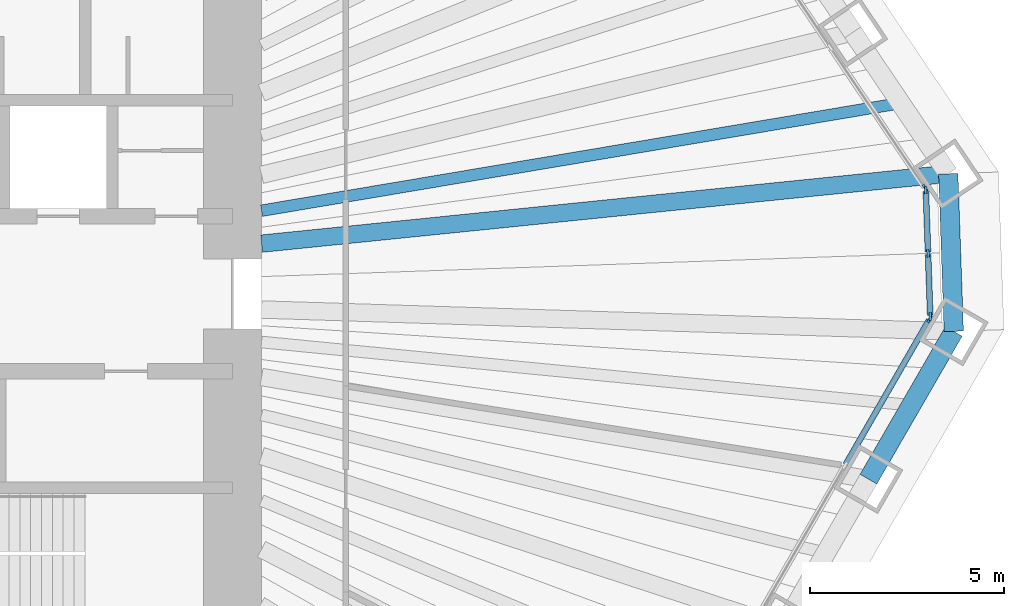
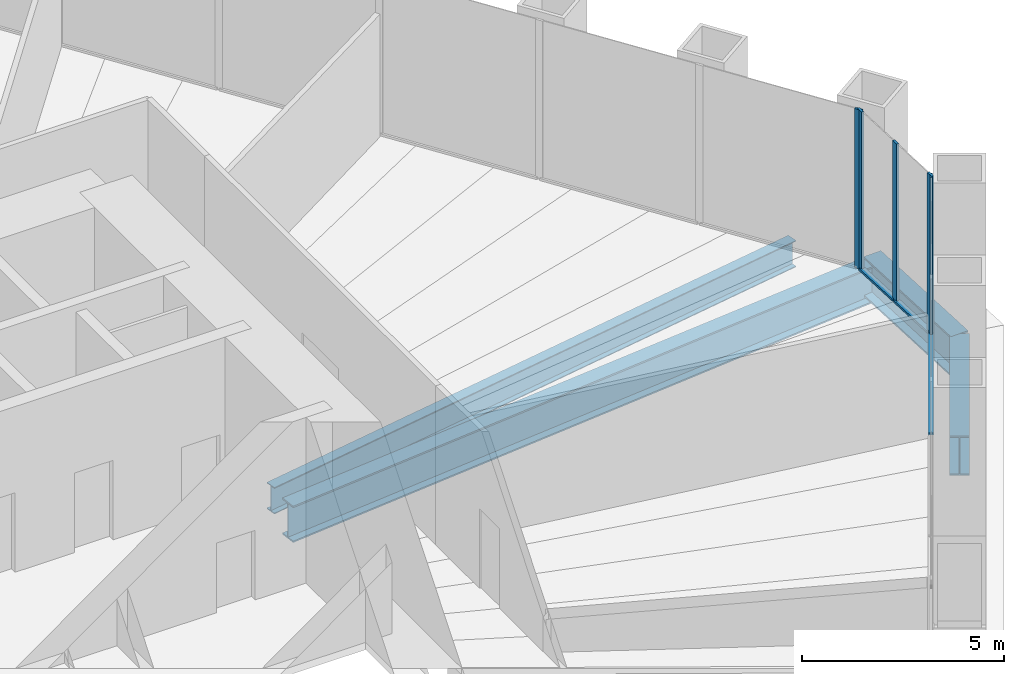
# One storey, part 5 of 14: 8 members, 4 beams, 3 elements without a shape of their own.
"""IFC4 building model written with IfcOpenShell, lengths in metres."""

from ifc_helpers import new_model, si_unit, direction, frame, origin, origin_2d, place, context, subcontext, project, spatial, rectangle, i_section, extrude, material, material_profile, profile_set, type_object, element, aggregate, save


model = new_model("IFC4")

# Units and contexts
model_context = context("Model", 3, precision=1e-05, world=origin(), true_north=direction((0.0, 1.0)))
body_context = subcontext(model_context, "Body", "Model", "MODEL_VIEW")
ifc_project = project(units=[si_unit("LENGTHUNIT", "METRE"), si_unit("AREAUNIT", "SQUARE_METRE"), si_unit("VOLUMEUNIT", "CUBIC_METRE"), si_unit("PLANEANGLEUNIT", "RADIAN"), si_unit("MASSUNIT", "GRAM", prefix="KILO")], contexts=[model_context])

# Site, building, storey
site_placement = place(None, origin())
site = spatial("IfcSite", under=ifc_project, at=site_placement, CompositionType="ELEMENT")
building_placement = place(site_placement, origin())
building = spatial("IfcBuilding", under=site, at=building_placement, Name="Qingtian Harvest Tower", CompositionType="ELEMENT")
storey_placement = place(building_placement, frame((0.0, 0.0, 57.0)))
storey = spatial("IfcBuildingStorey", under=building, at=storey_placement, Name="L11", CompositionType="ELEMENT", Elevation=57.0)

# Beams
ifc_material_1 = material(Name="Steel SM570MC", Category="steel")
ifc_material_profile_1 = material_profile(ifc_material_1, i_section(OverallWidth=0.449951171875, OverallDepth=1.10009765625, WebThickness=0.02197265625, FlangeThickness=0.044921875, at=origin_2d()), Name="H1100x450x22x45")
ifc_profile_set_1 = profile_set([ifc_material_profile_1], Name="Steel SM570MC")
beam_type_1 = type_object("IfcBeamType", Name="Corner floor beam FB8 H1100x450x22x45", PredefinedType="BEAM", material=ifc_profile_set_1)
beam_1_placement = place(storey_placement, frame((30.476318359375, 3.100830078125, -0.75), z_axis=(-0.994864371567, -0.101217005423, 0.0), x_axis=(0.101217005423, -0.994864371567, 0.0)))
element("IfcBeam", 1, at=beam_1_placement, inside=storey, type_object=beam_type_1, Name="Floor beam FB8 NE6", PredefinedType="BEAM", context=body_context, shape_type="SweptSolid", body=[
    extrude(i_section(OverallWidth=0.449951171875, OverallDepth=1.10009765625, WebThickness=0.02197265625, FlangeThickness=0.044921875, at=origin_2d()), origin(), (0.0, 0.0, 1.0), 17.81787109375),
])
ifc_material_2 = material(Name="Steel SN490B", Category="steel")
ifc_material_profile_2 = material_profile(ifc_material_2, i_section(OverallWidth=0.300048828125, OverallDepth=0.800048828125, WebThickness=0.013916015625, FlangeThickness=0.02587890625, at=origin_2d()), Name="H800x300x14x26")
ifc_profile_set_2 = profile_set([ifc_material_profile_2], Name="Steel SN490B")
beam_type_2 = type_object("IfcBeamType", Name="Floor joist J1 H800x300x14x26", PredefinedType="JOIST", material=ifc_profile_set_2)
beam_2_placement = place(storey_placement, frame((29.244873046875, 4.926513671875, -0.60009765625), z_axis=(-0.986107238024, -0.166109948877, 0.0), x_axis=(0.166109948877, -0.986107238024, 0.0)))
element("IfcBeam", 2, at=beam_2_placement, inside=storey, type_object=beam_type_2, Name="Floor joist J1 NE5", PredefinedType="JOIST", context=body_context, shape_type="SweptSolid", body=[
    extrude(i_section(OverallWidth=0.300048828125, OverallDepth=0.800048828125, WebThickness=0.013916015625, FlangeThickness=0.02587890625, at=origin_2d()), origin(), (0.0, 0.0, 1.0), 16.727294921875),
])

# Curtain wall, member
ifc_material_3 = material(Name="Bronze-anodised aluminium curtain wall", Category="aluminium")
curtain_wall_type = type_object("IfcCurtainWallType", Name="Curtain wall CW2 farm reception", PredefinedType="USERDEFINED", material=ifc_material_3)
curtain_wall_1_placement = place(storey_placement, origin())
curtain_wall_1 = element("IfcCurtainWall", 3, at=curtain_wall_1_placement, inside=storey, type_object=curtain_wall_type, Name="Curtain wall CW2 L11 NE0-5", ObjectType="RECESSED CURTAIN WALL", PredefinedType="USERDEFINED")
ifc_material_4 = material(Name="Bronze-anodised aluminium mullion", Category="aluminium")
ifc_material_profile_3 = material_profile(ifc_material_4, rectangle(XDim=0.06494140625, YDim=0.199951171875, at=origin_2d()), Name="AL 65x200")
ifc_profile_set_3 = profile_set([ifc_material_profile_3], Name="Bronze-anodised aluminium mullion")
member_type_1 = type_object("IfcMemberType", Name="Mullion CWM 65x200", PredefinedType="MULLION", material=ifc_profile_set_3)
member_1_placement = place(storey_placement, frame((29.8779296875, 2.736328125, 0.0), z_axis=(0.0, 0.0, 1.0), x_axis=(0.829037572555, 0.559192903471, 0.0)))
member_1 = element("IfcMember", 4, at=member_1_placement, type_object=member_type_1, Name="CW2 mullion 7", PredefinedType="MULLION", context=body_context, shape_type="SweptSolid", body=[
    extrude(rectangle(XDim=0.06494140625, YDim=0.199951171875, at=origin_2d()), origin(), (0.0, 0.0, 1.0), 4.800048828125),
])
aggregate(curtain_wall_1, [member_1])

# Curtain wall, members
curtain_wall_2_placement = place(storey_placement, origin())
curtain_wall_2 = element("IfcCurtainWall", 5, at=curtain_wall_2_placement, inside=storey, type_object=curtain_wall_type, Name="Curtain wall CW2 L11 NEC", ObjectType="RECESSED CURTAIN WALL", PredefinedType="USERDEFINED")
member_2_placement = place(storey_placement, frame((29.897216796875, 2.677001953125, 0.0), z_axis=(0.0, 0.0, 1.0), x_axis=(0.999390827019, 0.034899496703, 0.0)))
member_2 = element("IfcMember", 6, at=member_2_placement, type_object=member_type_1, Name="CW2 mullion 1", PredefinedType="MULLION", context=body_context, shape_type="SweptSolid", body=[
    extrude(rectangle(XDim=0.06494140625, YDim=0.199951171875, at=origin_2d()), origin(), (0.0, 0.0, 1.0), 4.800048828125),
])
member_3_placement = place(storey_placement, frame((29.9541015625, 1.046142578125, 0.0), z_axis=(0.0, 0.0, 1.0), x_axis=(0.999390827019, 0.034899496703, 0.0)))
member_3 = element("IfcMember", 7, at=member_3_placement, type_object=member_type_1, Name="CW2 mullion 2", PredefinedType="MULLION", context=body_context, shape_type="SweptSolid", body=[
    extrude(rectangle(XDim=0.06494140625, YDim=0.199951171875, at=origin_2d()), origin(), (0.0, 0.0, 1.0), 4.800048828125),
])
member_4_placement = place(storey_placement, frame((30.010986328125, -0.5849609375, 0.0), z_axis=(0.0, 0.0, 1.0), x_axis=(0.999390827019, 0.034899496703, 0.0)))
member_4 = element("IfcMember", 8, at=member_4_placement, type_object=member_type_1, Name="CW2 mullion 3", PredefinedType="MULLION", context=body_context, shape_type="SweptSolid", body=[
    extrude(rectangle(XDim=0.06494140625, YDim=0.199951171875, at=origin_2d()), origin(), (0.0, 0.0, 1.0), 4.800048828125),
])

# Curtain wall, member
curtain_wall_3_placement = place(storey_placement, origin())
curtain_wall_3 = element("IfcCurtainWall", 9, at=curtain_wall_3_placement, inside=storey, type_object=curtain_wall_type, Name="Curtain wall CW2 L11 SE0-5", ObjectType="RECESSED CURTAIN WALL", PredefinedType="USERDEFINED")
member_5_placement = place(storey_placement, frame((29.995849609375, -0.6455078125, 0.0), z_axis=(0.0, 0.0, 1.0), x_axis=(0.866025403784, -0.5, 0.0)))
member_5 = element("IfcMember", 10, at=member_5_placement, type_object=member_type_1, Name="CW2 mullion 1", PredefinedType="MULLION", context=body_context, shape_type="SweptSolid", body=[
    extrude(rectangle(XDim=0.06494140625, YDim=0.199951171875, at=origin_2d()), origin(), (0.0, 0.0, 1.0), 4.800048828125),
])

# Beams
ifc_material_5 = material(Name="Steel SM570MC", Category="steel")
ifc_material_profile_4 = material_profile(ifc_material_5, i_section(OverallWidth=0.5, OverallDepth=1.199951171875, WebThickness=0.02490234375, FlangeThickness=0.050048828125, at=origin_2d()), Name="H1200x500x25x50")
ifc_profile_set_4 = profile_set([ifc_material_profile_4], Name="Steel SM570MC")
beam_type_3 = type_object("IfcBeamType", Name="Spandrel beam SB1 H1200x500x25x50", PredefinedType="SPANDREL", material=ifc_profile_set_4)
beam_3_placement = place(storey_placement, frame((30.476318359375, 3.100830078125, -0.60009765625), z_axis=(0.03490639867, -0.999390585973, 0.0), x_axis=(0.999390585973, 0.03490639867, 0.0)))
element("IfcBeam", 11, at=beam_3_placement, inside=storey, type_object=beam_type_3, Name="Spandrel SB1 NEC", PredefinedType="SPANDREL", context=body_context, shape_type="SweptSolid", body=[
    extrude(i_section(OverallWidth=0.5, OverallDepth=1.199951171875, WebThickness=0.02490234375, FlangeThickness=0.050048828125, at=origin_2d()), origin(), (0.0, 0.0, 1.0), 4.070556640625),
])
beam_4_placement = place(storey_placement, frame((30.618408203125, -0.96728515625, -0.60009765625), z_axis=(-0.50001992892, -0.866013897511, 0.0), x_axis=(0.866013897511, -0.50001992892, 0.0)))
element("IfcBeam", 12, at=beam_4_placement, inside=storey, type_object=beam_type_3, Name="Spandrel SB1 SE0", PredefinedType="SPANDREL", context=body_context, shape_type="SweptSolid", body=[
    extrude(i_section(OverallWidth=0.5, OverallDepth=1.199951171875, WebThickness=0.02490234375, FlangeThickness=0.050048828125, at=origin_2d()), origin(), (0.0, 0.0, 1.0), 4.404541015625),
])

# Member
ifc_material_6 = material(Name="Bronze-anodised aluminium transom", Category="aluminium")
ifc_material_profile_5 = material_profile(ifc_material_6, rectangle(XDim=0.14990234375, YDim=0.06494140625, at=origin_2d()), Name="AL 65x150")
ifc_profile_set_5 = profile_set([ifc_material_profile_5], Name="Bronze-anodised aluminium transom")
member_type_2 = type_object("IfcMemberType", Name="Transom CWT 65x150", PredefinedType="USERDEFINED", material=ifc_profile_set_5)
member_6_placement = place(storey_placement, frame((29.898193359375, 2.64453125, 0.032470703125), z_axis=(0.034902326647, -0.999390728191, 0.0), x_axis=(0.999390728191, 0.034902326647, 0.0)))
member_6 = element("IfcMember", 13, at=member_6_placement, type_object=member_type_2, Name="CW2 transom 1.1", ObjectType="TRANSOM", PredefinedType="USERDEFINED", context=body_context, shape_type="SweptSolid", body=[
    extrude(rectangle(XDim=0.14990234375, YDim=0.06494140625, at=origin_2d()), origin(), (0.0, 0.0, 1.0), 1.56689453125),
])

member_7_placement = place(storey_placement, frame((29.955322265625, 1.013427734375, 0.032470703125), z_axis=(0.034902326647, -0.999390728191, 0.0), x_axis=(0.999390728191, 0.034902326647, 0.0)))
member_7 = element("IfcMember", 14, at=member_7_placement, type_object=member_type_2, Name="CW2 transom 2.1", ObjectType="TRANSOM", PredefinedType="USERDEFINED", context=body_context, shape_type="SweptSolid", body=[
    extrude(rectangle(XDim=0.14990234375, YDim=0.06494140625, at=origin_2d()), origin(), (0.0, 0.0, 1.0), 1.56689453125),
])

aggregate(curtain_wall_2, [member_2, member_3, member_4, member_6, member_7])

member_8_placement = place(storey_placement, frame((29.979736328125, -0.673583984375, 0.032470703125), z_axis=(-0.499985768833, -0.866033619997, 0.0), x_axis=(0.866033619997, -0.499985768833, 0.0)))
member_8 = element("IfcMember", 15, at=member_8_placement, type_object=member_type_2, Name="CW2 transom 1.1", ObjectType="TRANSOM", PredefinedType="USERDEFINED", context=body_context, shape_type="SweptSolid", body=[
    extrude(rectangle(XDim=0.14990234375, YDim=0.06494140625, at=origin_2d()), origin(), (0.0, 0.0, 1.0), 4.307373046875),
])

aggregate(curtain_wall_3, [member_5, member_8])

save(model, "model.ifc")
